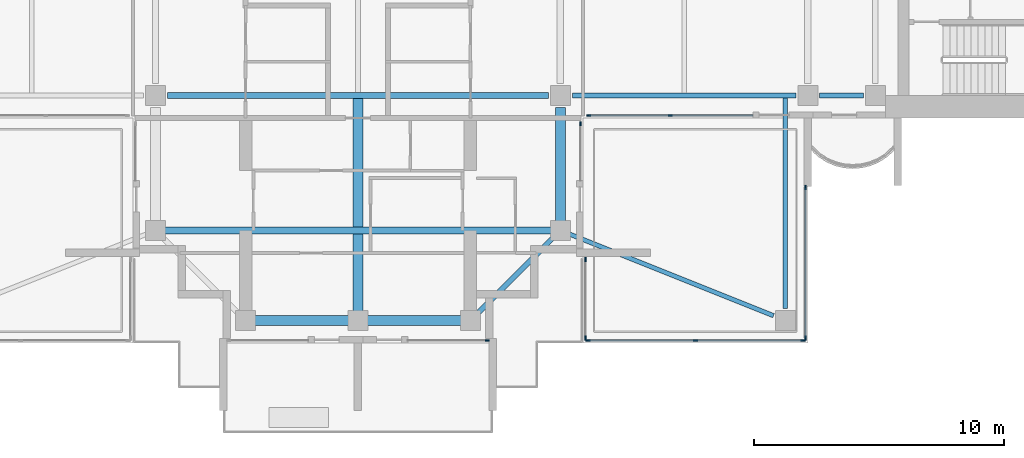
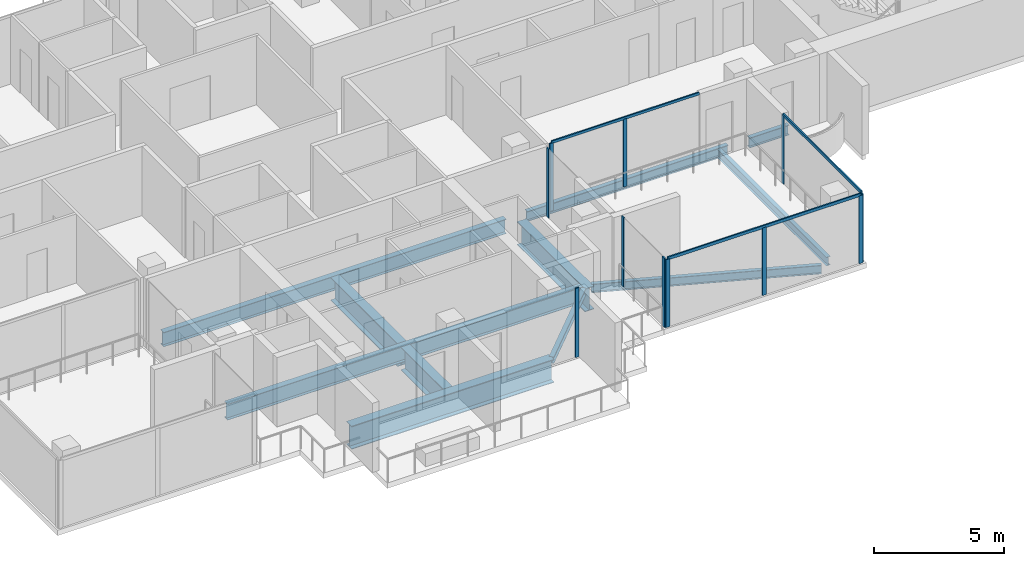
# One storey, part 3 of 16: 14 members, 11 beams, 6 elements without a shape of their own.
"""IFC4 building model written with IfcOpenShell, lengths in metres."""

from ifc_helpers import new_model, si_unit, direction, frame, origin, origin_2d, place, context, subcontext, project, spatial, rectangle, i_section, extrude, material, material_profile, profile_set, type_object, element, aggregate, save


model = new_model("IFC4")

# Units and contexts
model_context = context("Model", 3, precision=1e-05, world=origin(), true_north=direction((0.0, 1.0)))
body_context = subcontext(model_context, "Body", "Model", "MODEL_VIEW")
ifc_project = project(units=[si_unit("LENGTHUNIT", "METRE"), si_unit("AREAUNIT", "SQUARE_METRE"), si_unit("VOLUMEUNIT", "CUBIC_METRE"), si_unit("PLANEANGLEUNIT", "RADIAN"), si_unit("MASSUNIT", "GRAM", prefix="KILO")], contexts=[model_context])

# Site, building, storey
site_placement = place(None, origin())
site = spatial("IfcSite", under=ifc_project, at=site_placement, CompositionType="ELEMENT")
building_placement = place(site_placement, origin())
building = spatial("IfcBuilding", under=site, at=building_placement, Name="Perihelion Cross Residences", CompositionType="ELEMENT")
storey_placement = place(building_placement, frame((0.0, 0.0, 232.5)))
storey = spatial("IfcBuildingStorey", under=building, at=storey_placement, Name="L58", CompositionType="ELEMENT", Elevation=232.5)

# Curtain wall, member
ifc_material_1 = material(Name="Bronze anodised aluminium, tinted glazing", Category="aluminium")
curtain_wall_type_1 = type_object("IfcCurtainWallType", Name="CW1", PredefinedType="NOTDEFINED", material=ifc_material_1)
curtain_wall_1_placement = place(storey_placement, origin())
curtain_wall_1 = element("IfcCurtainWall", 1, at=curtain_wall_1_placement, inside=storey, type_object=curtain_wall_type_1, Name="Curtain wall CW1 L58 south tip south bay 2", PredefinedType="NOTDEFINED")
ifc_material_2 = material(Name="Bronze anodised aluminium", Category="aluminium")
ifc_material_profile_1 = material_profile(ifc_material_2, rectangle(XDim=0.06005859375, YDim=0.159912109375, at=origin_2d()), Name="CW1 mullion")
ifc_profile_set_1 = profile_set([ifc_material_profile_1], Name="Bronze anodised aluminium")
member_type_1 = type_object("IfcMemberType", Name="CW1 mullion", PredefinedType="MULLION", material=ifc_profile_set_1)
member_1_placement = place(storey_placement, frame((5.169921875, -17.89990234375, 0.0), z_axis=(0.0, 0.0, 1.0), x_axis=(0.0, 1.0, 0.0)))
member_1 = element("IfcMember", 2, at=member_1_placement, type_object=member_type_1, Name="CW1 mullion 2", PredefinedType="MULLION", context=body_context, shape_type="SweptSolid", body=[
    extrude(rectangle(XDim=0.06005859375, YDim=0.159912109375, at=origin_2d()), origin(), (0.0, 0.0, 1.0), 3.25),
])
aggregate(curtain_wall_1, [member_1])

curtain_wall_2_placement = place(storey_placement, origin())
curtain_wall_2 = element("IfcCurtainWall", 3, at=curtain_wall_2_placement, inside=storey, type_object=curtain_wall_type_1, Name="Curtain wall CW1 L58 south side east bay 1", PredefinedType="NOTDEFINED")
member_2_placement = place(storey_placement, frame((8.89990234375, -9.22998046875, 0.0), z_axis=(0.0, 0.0, 1.0), x_axis=(-1.0, 0.0, 0.0)))
member_2 = element("IfcMember", 4, at=member_2_placement, type_object=member_type_1, Name="CW1 mullion 2", PredefinedType="MULLION", context=body_context, shape_type="SweptSolid", body=[
    extrude(rectangle(XDim=0.06005859375, YDim=0.159912109375, at=origin_2d()), origin(), (0.0, 0.0, 1.0), 3.25),
])
aggregate(curtain_wall_2, [member_2])

# Curtain wall, members
curtain_wall_3_placement = place(storey_placement, origin())
curtain_wall_3 = element("IfcCurtainWall", 5, at=curtain_wall_3_placement, inside=storey, type_object=curtain_wall_type_1, Name="Curtain wall CW1 L58 east side south bay 1", PredefinedType="NOTDEFINED")
member_3_placement = place(storey_placement, frame((9.22998046875, -8.89990234375, 0.0), z_axis=(0.0, 0.0, 1.0), x_axis=(0.0, 1.0, 0.0)))
member_3 = element("IfcMember", 6, at=member_3_placement, type_object=member_type_1, Name="CW1 mullion 1", PredefinedType="MULLION", context=body_context, shape_type="SweptSolid", body=[
    extrude(rectangle(XDim=0.06005859375, YDim=0.159912109375, at=origin_2d()), origin(), (0.0, 0.0, 1.0), 3.18994140625),
])
member_4_placement = place(storey_placement, frame((12.5, -8.89990234375, 0.0), z_axis=(0.0, 0.0, 1.0), x_axis=(0.0, 1.0, 0.0)))
member_4 = element("IfcMember", 7, at=member_4_placement, type_object=member_type_1, Name="CW1 mullion 2", PredefinedType="MULLION", context=body_context, shape_type="SweptSolid", body=[
    extrude(rectangle(XDim=0.06005859375, YDim=0.159912109375, at=origin_2d()), origin(), (0.0, 0.0, 1.0), 3.18994140625),
])
ifc_material_3 = material(Name="Bronze anodised aluminium", Category="aluminium")
ifc_material_profile_2 = material_profile(ifc_material_3, rectangle(XDim=0.06005859375, YDim=0.1201171875, at=origin_2d()), Name="CW1 transom")
ifc_profile_set_2 = profile_set([ifc_material_profile_2], Name="Bronze anodised aluminium")
member_type_2 = type_object("IfcMemberType", Name="CW1 transom", PredefinedType="USERDEFINED", material=ifc_profile_set_2)
member_5_placement = place(storey_placement, frame((9.22998046875, -8.89990234375, 3.219970703125), z_axis=(1.0, 0.0, 0.0), x_axis=(0.0, 1.0, 0.0)))
member_5 = element("IfcMember", 8, at=member_5_placement, type_object=member_type_2, Name="CW1 head transom", ObjectType="TRANSOM", PredefinedType="USERDEFINED", context=body_context, shape_type="SweptSolid", body=[
    extrude(rectangle(XDim=0.06005859375, YDim=0.1201171875, at=origin_2d()), origin(), (0.0, 0.0, 1.0), 6.570068359375),
])
aggregate(curtain_wall_3, [member_3, member_4, member_5])

ifc_material_4 = material(Name="Bronze anodised aluminium, tinted glazing", Category="aluminium")
curtain_wall_type_2 = type_object("IfcCurtainWallType", Name="CW4", PredefinedType="NOTDEFINED", material=ifc_material_4)
curtain_wall_4_placement = place(storey_placement, origin())
curtain_wall_4 = element("IfcCurtainWall", 9, at=curtain_wall_4_placement, inside=storey, type_object=curtain_wall_type_2, Name="Curtain wall CW4 L58 pocket south-east 1 1", PredefinedType="NOTDEFINED")
ifc_material_5 = material(Name="Bronze anodised aluminium", Category="aluminium")
ifc_material_profile_3 = material_profile(ifc_material_5, rectangle(XDim=0.06005859375, YDim=0.179931640625, at=origin_2d()), Name="CW4 mullion")
ifc_profile_set_3 = profile_set([ifc_material_profile_3], Name="Bronze anodised aluminium")
member_type_3 = type_object("IfcMemberType", Name="CW4 mullion", PredefinedType="MULLION", material=ifc_profile_set_3)
member_6_placement = place(storey_placement, frame((17.89990234375, -11.77001953125, 0.0), z_axis=(0.0, 0.0, 1.0), x_axis=(1.0, 0.0, 0.0)))
member_6 = element("IfcMember", 10, at=member_6_placement, type_object=member_type_3, Name="CW4 mullion 1", PredefinedType="MULLION", context=body_context, shape_type="SweptSolid", body=[
    extrude(rectangle(XDim=0.06005859375, YDim=0.179931640625, at=origin_2d()), origin(), (0.0, 0.0, 1.0), 3.18994140625),
])
member_7_placement = place(storey_placement, frame((17.89990234375, -17.800048828125, 0.0), z_axis=(0.0, 0.0, 1.0), x_axis=(1.0, 0.0, 0.0)))
member_7 = element("IfcMember", 11, at=member_7_placement, type_object=member_type_3, Name="CW4 mullion 2", PredefinedType="MULLION", context=body_context, shape_type="SweptSolid", body=[
    extrude(rectangle(XDim=0.06005859375, YDim=0.179931640625, at=origin_2d()), origin(), (0.0, 0.0, 1.0), 3.18994140625),
])

curtain_wall_5_placement = place(storey_placement, origin())
curtain_wall_5 = element("IfcCurtainWall", 12, at=curtain_wall_5_placement, inside=storey, type_object=curtain_wall_type_2, Name="Curtain wall CW4 L58 pocket south-east 1 2", PredefinedType="NOTDEFINED")
member_8_placement = place(storey_placement, frame((17.800048828125, -17.89990234375, 0.0), z_axis=(0.0, 0.0, 1.0), x_axis=(0.0, -1.0, 0.0)))
member_8 = element("IfcMember", 13, at=member_8_placement, type_object=member_type_3, Name="CW4 mullion 1", PredefinedType="MULLION", context=body_context, shape_type="SweptSolid", body=[
    extrude(rectangle(XDim=0.06005859375, YDim=0.179931640625, at=origin_2d()), origin(), (0.0, 0.0, 1.0), 3.18994140625),
])
member_9_placement = place(storey_placement, frame((13.5, -17.89990234375, 0.0), z_axis=(0.0, 0.0, 1.0), x_axis=(0.0, -1.0, 0.0)))
member_9 = element("IfcMember", 14, at=member_9_placement, type_object=member_type_3, Name="CW4 mullion 2", PredefinedType="MULLION", context=body_context, shape_type="SweptSolid", body=[
    extrude(rectangle(XDim=0.06005859375, YDim=0.179931640625, at=origin_2d()), origin(), (0.0, 0.0, 1.0), 3.18994140625),
])
member_10_placement = place(storey_placement, frame((9.199951171875, -17.89990234375, 0.0), z_axis=(0.0, 0.0, 1.0), x_axis=(0.0, -1.0, 0.0)))
member_10 = element("IfcMember", 15, at=member_10_placement, type_object=member_type_3, Name="CW4 mullion 3", PredefinedType="MULLION", context=body_context, shape_type="SweptSolid", body=[
    extrude(rectangle(XDim=0.06005859375, YDim=0.179931640625, at=origin_2d()), origin(), (0.0, 0.0, 1.0), 3.18994140625),
])

curtain_wall_6_placement = place(storey_placement, origin())
curtain_wall_6 = element("IfcCurtainWall", 16, at=curtain_wall_6_placement, inside=storey, type_object=curtain_wall_type_2, Name="Curtain wall CW4 L58 pocket south-east 1 3", PredefinedType="NOTDEFINED")
member_11_placement = place(storey_placement, frame((9.10009765625, -17.800048828125, 0.0), z_axis=(0.0, 0.0, 1.0), x_axis=(-1.0, 0.0, 0.0)))
member_11 = element("IfcMember", 17, at=member_11_placement, type_object=member_type_3, Name="CW4 mullion 1", PredefinedType="MULLION", context=body_context, shape_type="SweptSolid", body=[
    extrude(rectangle(XDim=0.06005859375, YDim=0.179931640625, at=origin_2d()), origin(), (0.0, 0.0, 1.0), 3.25),
])
member_12_placement = place(storey_placement, frame((9.10009765625, -14.658935546875, 0.0), z_axis=(0.0, 0.0, 1.0), x_axis=(-1.0, 0.0, 0.0)))
member_12 = element("IfcMember", 18, at=member_12_placement, type_object=member_type_3, Name="CW4 mullion 2", PredefinedType="MULLION", context=body_context, shape_type="SweptSolid", body=[
    extrude(rectangle(XDim=0.06005859375, YDim=0.179931640625, at=origin_2d()), origin(), (0.0, 0.0, 1.0), 3.25),
])
aggregate(curtain_wall_6, [member_11, member_12])

# Member
ifc_material_6 = material(Name="Bronze anodised aluminium", Category="aluminium")
ifc_material_profile_4 = material_profile(ifc_material_6, rectangle(XDim=0.06005859375, YDim=0.139892578125, at=origin_2d()), Name="CW4 transom")
ifc_profile_set_4 = profile_set([ifc_material_profile_4], Name="Bronze anodised aluminium")
member_type_4 = type_object("IfcMemberType", Name="CW4 transom", PredefinedType="USERDEFINED", material=ifc_profile_set_4)
member_13_placement = place(storey_placement, frame((17.89990234375, -11.77001953125, 3.219970703125), z_axis=(0.0, -1.0, 0.0), x_axis=(1.0, 0.0, 0.0)))
member_13 = element("IfcMember", 19, at=member_13_placement, type_object=member_type_4, Name="CW4 head transom", ObjectType="TRANSOM", PredefinedType="USERDEFINED", context=body_context, shape_type="SweptSolid", body=[
    extrude(rectangle(XDim=0.06005859375, YDim=0.139892578125, at=origin_2d()), origin(), (0.0, 0.0, 1.0), 6.030029296875),
])

aggregate(curtain_wall_4, [member_6, member_7, member_13])

member_14_placement = place(storey_placement, frame((17.800048828125, -17.89990234375, 3.219970703125), z_axis=(-1.0, 0.0, 0.0), x_axis=(0.0, -1.0, 0.0)))
member_14 = element("IfcMember", 20, at=member_14_placement, type_object=member_type_4, Name="CW4 head transom", ObjectType="TRANSOM", PredefinedType="USERDEFINED", context=body_context, shape_type="SweptSolid", body=[
    extrude(rectangle(XDim=0.06005859375, YDim=0.139892578125, at=origin_2d()), origin(), (0.0, 0.0, 1.0), 8.60009765625),
])

aggregate(curtain_wall_5, [member_8, member_9, member_10, member_14])

# Beams
ifc_material_7 = material(Name="Steel S355", Category="steel")
ifc_material_profile_5 = material_profile(ifc_material_7, i_section(OverallWidth=0.177978515625, OverallDepth=0.406005859375, WebThickness=0.0078125, FlangeThickness=0.0126953125, at=origin_2d()), Name="W410x60")
ifc_profile_set_5 = profile_set([ifc_material_profile_5], Name="Steel S355")
beam_type_1 = type_object("IfcBeamType", Name="Core edge beam W410x60", PredefinedType="BEAM", material=ifc_profile_set_5)
beam_1_placement = place(storey_placement, frame((17.10009765625, -8.197021484375, -0.452880859375), z_axis=(0.0, -1.0, 0.0), x_axis=(1.0, 0.0, 0.0)))
element("IfcBeam", 21, at=beam_1_placement, inside=storey, type_object=beam_type_1, Name="Core edge beam TB2 L58 corner no. 3", PredefinedType="BEAM", context=body_context, shape_type="SweptSolid", body=[
    extrude(i_section(OverallWidth=0.177978515625, OverallDepth=0.406005859375, WebThickness=0.0078125, FlangeThickness=0.0126953125, at=origin_2d()), origin(), (0.0, 0.0, 1.0), 8.427978515625),
])
beam_2_placement = place(storey_placement, frame((8.300537109375, -13.580078125, -0.452880859375), z_axis=(0.928474812915, -0.371395371245, 0.0), x_axis=(0.371395371245, 0.928474812915, 0.0)))
element("IfcBeam", 22, at=beam_2_placement, inside=storey, type_object=beam_type_1, Name="Core edge beam TB2 L58 corner no. 4", PredefinedType="BEAM", context=body_context, shape_type="SweptSolid", body=[
    extrude(i_section(OverallWidth=0.177978515625, OverallDepth=0.406005859375, WebThickness=0.0078125, FlangeThickness=0.0126953125, at=origin_2d()), origin(), (0.0, 0.0, 1.0), 8.9658203125),
])
ifc_material_8 = material(Name="Steel S355", Category="steel")
ifc_material_profile_6 = material_profile(ifc_material_8, i_section(OverallWidth=0.194091796875, OverallDepth=0.469970703125, WebThickness=0.0126953125, FlangeThickness=0.0205078125, at=origin_2d()), Name="W460x106")
ifc_profile_set_6 = profile_set([ifc_material_profile_6], Name="Steel S355")
beam_type_2 = type_object("IfcBeamType", Name="Edge beam W460x106", PredefinedType="SPANDREL", material=ifc_profile_set_6)
beam_3_placement = place(storey_placement, frame((8.574951171875, -8.10009765625, -0.485107421875), z_axis=(1.0, 0.0, 0.0), x_axis=(0.0, 1.0, 0.0)))
element("IfcBeam", 23, at=beam_3_placement, inside=storey, type_object=beam_type_2, Name="Edge beam SB5 L58 no. 8", PredefinedType="SPANDREL", context=body_context, shape_type="SweptSolid", body=[
    extrude(i_section(OverallWidth=0.194091796875, OverallDepth=0.469970703125, WebThickness=0.0126953125, FlangeThickness=0.0205078125, at=origin_2d()), origin(), (0.0, 0.0, 1.0), 8.949951171875),
])
beam_4_placement = place(storey_placement, frame((18.47509765625, -8.10009765625, -0.485107421875), z_axis=(1.0, 0.0, 0.0), x_axis=(0.0, 1.0, 0.0)))
element("IfcBeam", 24, at=beam_4_placement, inside=storey, type_object=beam_type_2, Name="Edge beam SB5 L58 no. 5", PredefinedType="SPANDREL", context=body_context, shape_type="SweptSolid", body=[
    extrude(i_section(OverallWidth=0.194091796875, OverallDepth=0.469970703125, WebThickness=0.0126953125, FlangeThickness=0.0205078125, at=origin_2d()), origin(), (0.0, 0.0, 1.0), 1.75),
])
ifc_material_9 = material(Name="Steel S355", Category="steel")
ifc_material_profile_7 = material_profile(ifc_material_9, i_section(OverallWidth=0.26708984375, OverallDepth=0.75390625, WebThickness=0.01318359375, FlangeThickness=0.01708984375, at=origin_2d()), Name="W760x147")
ifc_profile_set_7 = profile_set([ifc_material_profile_7], Name="Steel S355")
beam_type_3 = type_object("IfcBeamType", Name="Floor girder W760x147", PredefinedType="BEAM", material=ifc_profile_set_7)
beam_5_placement = place(storey_placement, frame((-7.8994140625, -13.5, -0.626953125), z_axis=(1.0, 0.0, 0.0), x_axis=(0.0, 1.0, 0.0)))
element("IfcBeam", 25, at=beam_5_placement, inside=storey, type_object=beam_type_3, Name="Girder G5 L58 no. 3", PredefinedType="BEAM", context=body_context, shape_type="SweptSolid", body=[
    extrude(i_section(OverallWidth=0.26708984375, OverallDepth=0.75390625, WebThickness=0.01318359375, FlangeThickness=0.01708984375, at=origin_2d()), origin(), (0.0, 0.0, 1.0), 15.798828125),
])
ifc_material_10 = material(Name="Steel S355", Category="steel")
ifc_material_profile_8 = material_profile(ifc_material_10, i_section(OverallWidth=0.25390625, OverallDepth=0.677978515625, WebThickness=0.01171875, FlangeThickness=0.016357421875, at=origin_2d()), Name="W690x125")
ifc_profile_set_8 = profile_set([ifc_material_profile_8], Name="Steel S355")
beam_type_4 = type_object("IfcBeamType", Name="Hub ring girder W690x125", PredefinedType="BEAM", material=ifc_profile_set_8)
beam_6_placement = place(storey_placement, frame((-7.625, -8.10009765625, -0.589111328125), z_axis=(1.0, 0.0, 0.0), x_axis=(0.0, 1.0, 0.0)))
element("IfcBeam", 26, at=beam_6_placement, inside=storey, type_object=beam_type_4, Name="Hub ring girder RG5 L58 no. 1", PredefinedType="BEAM", context=body_context, shape_type="SweptSolid", body=[
    extrude(i_section(OverallWidth=0.25390625, OverallDepth=0.677978515625, WebThickness=0.01171875, FlangeThickness=0.016357421875, at=origin_2d()), origin(), (0.0, 0.0, 1.0), 15.25),
])
ifc_material_11 = material(Name="Steel S355", Category="steel")
ifc_material_profile_9 = material_profile(ifc_material_11, i_section(OverallWidth=0.202880859375, OverallDepth=0.302001953125, WebThickness=0.007568359375, FlangeThickness=0.01318359375, at=origin_2d()), Name="W310x60")
ifc_profile_set_9 = profile_set([ifc_material_profile_9], Name="Steel S355")
beam_type_5 = type_object("IfcBeamType", Name="Serration edge beam W310x60", PredefinedType="BEAM", material=ifc_profile_set_9)
beam_7_placement = place(storey_placement, frame((4.5, -17.10009765625, -0.40087890625), z_axis=(0.707081389988, 0.707132171473, 0.0), x_axis=(-0.707132171473, 0.707081389988, 0.0)))
element("IfcBeam", 27, at=beam_7_placement, inside=storey, type_object=beam_type_5, Name="Serration edge beam EB5 L58 no. 2", PredefinedType="BEAM", context=body_context, shape_type="SweptSolid", body=[
    extrude(i_section(OverallWidth=0.202880859375, OverallDepth=0.302001953125, WebThickness=0.007568359375, FlangeThickness=0.01318359375, at=origin_2d()), origin(), (0.0, 0.0, 1.0), 4.8076171875),
])
ifc_material_12 = material(Name="Steel S355", Category="steel")
ifc_material_profile_10 = material_profile(ifc_material_12, i_section(OverallWidth=0.40087890625, OverallDepth=1.090087890625, WebThickness=0.01806640625, FlangeThickness=0.031005859375, at=origin_2d()), Name="W1100x343")
ifc_profile_set_10 = profile_set([ifc_material_profile_10], Name="Steel S355")
beam_type_6 = type_object("IfcBeamType", Name="Transfer girder W1100x343", PredefinedType="BEAM", material=ifc_profile_set_10)
beam_8_placement = place(storey_placement, frame((0.0, -16.8994140625, -0.794921875), z_axis=(0.0, 1.0, 0.0), x_axis=(-1.0, 0.0, 0.0)))
element("IfcBeam", 28, at=beam_8_placement, inside=storey, type_object=beam_type_6, Name="Girder TG1 L58 transfer no. 2", PredefinedType="BEAM", context=body_context, shape_type="SweptSolid", body=[
    extrude(i_section(OverallWidth=0.40087890625, OverallDepth=1.090087890625, WebThickness=0.01806640625, FlangeThickness=0.031005859375, at=origin_2d()), origin(), (0.0, 0.0, 1.0), 3.265869140625),
])
beam_9_placement = place(storey_placement, frame((0.0, -13.366455078125, -0.794921875), z_axis=(0.0, 1.0, 0.0), x_axis=(-1.0, 0.0, 0.0)))
element("IfcBeam", 29, at=beam_9_placement, inside=storey, type_object=beam_type_6, Name="Girder TG1 L58 transfer no. 3", PredefinedType="BEAM", context=body_context, shape_type="SweptSolid", body=[
    extrude(i_section(OverallWidth=0.40087890625, OverallDepth=1.090087890625, WebThickness=0.01806640625, FlangeThickness=0.031005859375, at=origin_2d()), origin(), (0.0, 0.0, 1.0), 5.139404296875),
])
beam_10_placement = place(storey_placement, frame((-4.5, -17.10009765625, -0.794921875), z_axis=(1.0, 0.0, 0.0), x_axis=(0.0, 1.0, 0.0)))
element("IfcBeam", 30, at=beam_10_placement, inside=storey, type_object=beam_type_6, Name="Girder TG1 L58 transfer no. 5", PredefinedType="BEAM", context=body_context, shape_type="SweptSolid", body=[
    extrude(i_section(OverallWidth=0.40087890625, OverallDepth=1.090087890625, WebThickness=0.01806640625, FlangeThickness=0.031005859375, at=origin_2d()), origin(), (0.0, 0.0, 1.0), 9.0),
])
beam_11_placement = place(storey_placement, frame((8.10009765625, -13.800048828125, -0.794921875), z_axis=(0.0, 1.0, 0.0), x_axis=(-1.0, 0.0, 0.0)))
element("IfcBeam", 31, at=beam_11_placement, inside=storey, type_object=beam_type_6, Name="Girder TG1 L58 transfer no. 4", PredefinedType="BEAM", context=body_context, shape_type="SweptSolid", body=[
    extrude(i_section(OverallWidth=0.40087890625, OverallDepth=1.090087890625, WebThickness=0.01806640625, FlangeThickness=0.031005859375, at=origin_2d()), origin(), (0.0, 0.0, 1.0), 5.22509765625),
])

save(model, "model.ifc")
